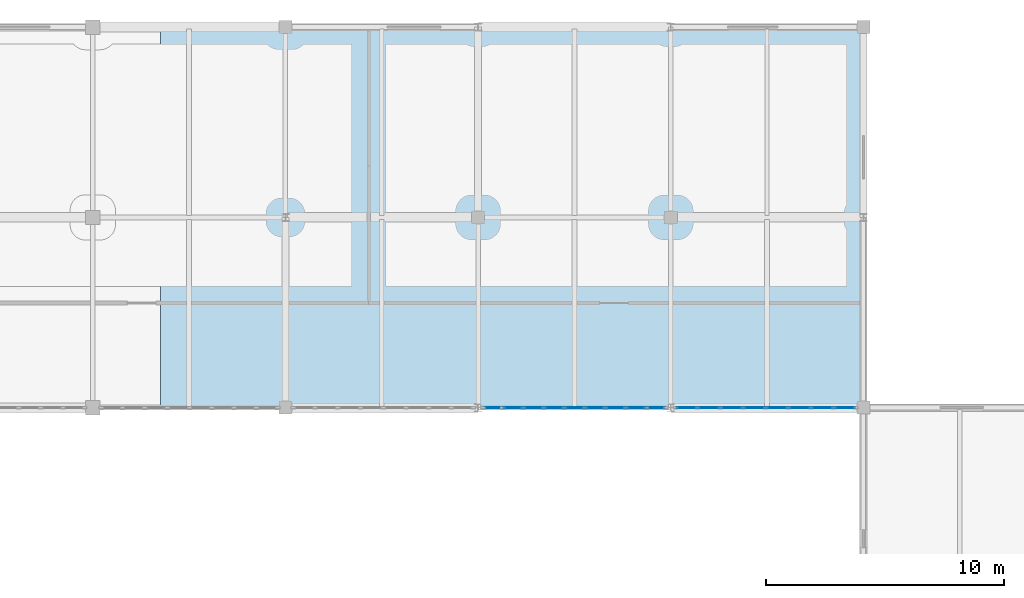
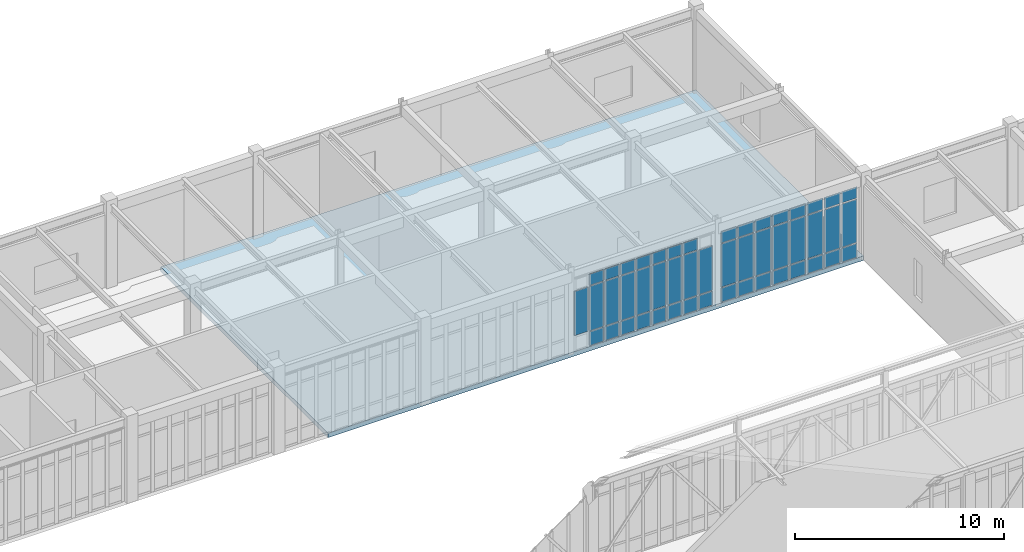
# One storey, part 80 of 107: 48 plates, 1 slab, 2 elements without a shape of their own.
"""IFC4 building model written with IfcOpenShell, lengths in metres."""

import ifcopenshell
import ifcopenshell.guid

model = None  # the IFC model being written
_history = None  # IfcOwnerHistory: only IFC2X3 demands one
_inside = {}  # id of a spatial element -> (the spatial element, [elements in it])
_under = {}  # id of a project, library or spatial element -> (it, [spatial elements below it])
_declared = {}  # id of a project -> (the project, [libraries it declares])
_typed = {}  # id of a type object -> (the type object, [elements of that type])
_made_of = {}  # id of a material, layer set ... -> (it, [elements and type objects made of it])


def new_model(schema):
    """Start an empty IFC model of exactly this schema.

    Asked for "IFC4X3", IfcOpenShell would pick the latest addendum, in which some entities
    have other attributes; the version numbers below select the first issue.
    IFC2X3 requires an IfcOwnerHistory on every rooted entity: one is made here for all.
    """
    global model, _history
    if schema == "IFC4X3":
        model = ifcopenshell.file(schema_version=(4, 3, 0, 0))
    else:
        model = ifcopenshell.file(schema=schema)
    _inside.clear()
    _under.clear()
    _declared.clear()
    _typed.clear()
    _made_of.clear()
    _history = None
    if model.schema == "IFC2X3":
        org = make("IfcOrganization", Name="unknown")
        user = make(
            "IfcPersonAndOrganization",
            ThePerson=make("IfcPerson", FamilyName="unknown"),
            TheOrganization=org,
        )
        app = make(
            "IfcApplication",
            ApplicationDeveloper=org,
            Version="unknown",
            ApplicationFullName="unknown",
            ApplicationIdentifier="unknown",
        )
        _history = make(
            "IfcOwnerHistory",
            OwningUser=user,
            OwningApplication=app,
            ChangeAction="ADDED",
            CreationDate=0,
        )
    return model


def make(cls, **values):
    """One entity of the class cls with the attributes given. An attribute that is None is left unset."""
    return model.create_entity(
        cls, **{name: value for name, value in values.items() if value is not None}
    )


def rooted(cls, **values):
    """An entity with a GlobalId (a new one), such as an element, a storey or a relation."""
    return make(cls, GlobalId=ifcopenshell.guid.new(), OwnerHistory=_history, **values)


def si_unit(unit_type, name, prefix=None):
    """IfcSIUnit, for example si_unit("LENGTHUNIT", "METRE", prefix="MILLI")."""
    return make("IfcSIUnit", UnitType=unit_type, Prefix=prefix, Name=name)


def assignment(units):
    """IfcUnitAssignment: the units of a project."""
    return None if units is None else make("IfcUnitAssignment", Units=units)


def point(xyz):
    """IfcCartesianPoint."""
    return None if xyz is None else make("IfcCartesianPoint", Coordinates=xyz)


def direction(xyz):
    """IfcDirection."""
    return None if xyz is None else make("IfcDirection", DirectionRatios=xyz)


def frame(location, z_axis=None, x_axis=None):
    """IfcAxis2Placement3D, a coordinate frame: its origin and axes. An axis left out is left unset."""
    return make(
        "IfcAxis2Placement3D",
        Location=point(location),
        Axis=direction(z_axis),
        RefDirection=direction(x_axis),
    )


def frame_2d(location, x_axis=None):
    """IfcAxis2Placement2D, a coordinate frame in the plane: its origin and x axis."""
    return make(
        "IfcAxis2Placement2D", Location=point(location), RefDirection=direction(x_axis)
    )


def origin():
    """The frame at (0, 0, 0) with its axes left unset."""
    return frame((0.0, 0.0, 0.0))


def origin_2d():
    """The frame at (0, 0) in the plane with its x axis left unset."""
    return frame_2d((0.0, 0.0))


def place(relative_to, where):
    """IfcLocalPlacement: puts the frame where relative to a parent placement (None: the world)."""
    return make(
        "IfcLocalPlacement", PlacementRelTo=relative_to, RelativePlacement=where
    )


def context(
    kind, dimensions, precision=None, world=None, true_north=None, identifier=None
):
    """IfcGeometricRepresentationContext, for example the 3D "Model" context."""
    return make(
        "IfcGeometricRepresentationContext",
        ContextIdentifier=identifier,
        ContextType=kind,
        CoordinateSpaceDimension=dimensions,
        Precision=precision,
        WorldCoordinateSystem=world,
        TrueNorth=true_north,
    )


def subcontext(parent, identifier, kind, view, scale=None):
    """IfcGeometricRepresentationSubContext, for example "Body" below "Model"."""
    return make(
        "IfcGeometricRepresentationSubContext",
        ContextIdentifier=identifier,
        ContextType=kind,
        ParentContext=parent,
        TargetScale=scale,
        TargetView=view,
    )


def project(units=None, contexts=None):
    """IfcProject with its units and contexts."""
    return rooted(
        "IfcProject",
        Name="project",
        RepresentationContexts=contexts,
        UnitsInContext=assignment(units),
    )


def spatial(cls, under=None, at=None, **own):
    """A site, building, storey or space (cls), placed at a placement, below another one or the project."""
    s = rooted(cls, ObjectPlacement=at, **own)
    if under is not None:
        _under.setdefault(under.id(), (under, []))[1].append(s)
    return s


def polyline(points):
    """IfcPolyline through the points."""
    return make("IfcPolyline", Points=[point(p) for p in points])


def profile(cls, at=None, kind="AREA", **sizes):
    """A parametric profile (cls). Its sizes go by their IFC names, for example OverallWidth=200.0."""
    return make(cls, ProfileType=kind, Position=at, **sizes)


def rectangle(**sizes):
    """IfcRectangleProfileDef."""
    return profile("IfcRectangleProfileDef", **sizes)


def outline(outer, holes=None, kind="AREA"):
    """IfcArbitraryClosedProfileDef: a profile drawn as a closed curve; with holes, ...WithVoids."""
    if holes is None:
        return make("IfcArbitraryClosedProfileDef", ProfileType=kind, OuterCurve=outer)
    return make(
        "IfcArbitraryProfileDefWithVoids",
        ProfileType=kind,
        OuterCurve=outer,
        InnerCurves=holes,
    )


def extrude(swept, where, along, depth):
    """IfcExtrudedAreaSolid: the profile swept, set in the frame where, extruded along a direction by depth."""
    return make(
        "IfcExtrudedAreaSolid",
        SweptArea=swept,
        Position=where,
        ExtrudedDirection=direction(along),
        Depth=depth,
    )


def shape(context_of_items, identifier, shape_type, items):
    """IfcShapeRepresentation: the items that make up one representation, for example the "Body"."""
    return make(
        "IfcShapeRepresentation",
        ContextOfItems=context_of_items,
        RepresentationIdentifier=identifier,
        RepresentationType=shape_type,
        Items=items,
    )


def material(Name=None, Category=None):
    """IfcMaterial."""
    return make("IfcMaterial", Name=Name, Category=Category)


def layer(
    of_material, thickness, ventilated=None, Name=None, Category=None, Priority=None
):
    """IfcMaterialLayer: one layer of a wall or slab, of a material (None: an air gap)."""
    return make(
        "IfcMaterialLayer",
        Material=of_material,
        LayerThickness=thickness,
        IsVentilated=ventilated,
        Name=Name,
        Category=Category,
        Priority=Priority,
    )


def layer_set(layers, Name=None):
    """IfcMaterialLayerSet."""
    return make("IfcMaterialLayerSet", MaterialLayers=layers, LayerSetName=Name)


def made_of(thing, what):
    """Note that an element or type object is made of a material, layer set ...; save() writes the relation."""
    if what is not None:
        _made_of.setdefault(what.id(), (what, []))[1].append(thing)
    return thing


def type_object(cls, material=None, **own):
    """A type object (cls), such as IfcWallType, which elements share."""
    return made_of(rooted(cls, **own), material)


def element(
    cls,
    number,
    at=None,
    inside=None,
    cuts=None,
    type_object=None,
    material=None,
    context=None,
    identifier="Body",
    shape_type=None,
    held_by="IfcProductDefinitionShape",
    body=None,
    shapes=None,
    **own,
):
    """One element of the class cls, such as IfcWall. Its Tag is "e" and its number.

    at: its placement. inside: the storey or other place that contains it. cuts: it is an
    opening in that element (IfcRelVoidsElement). A single representation is given by context,
    identifier, shape_type and body (its items); several are given by shapes. held_by: the class
    of the entity that holds the representations. save() writes the other relations.
    """
    e = rooted(cls, Tag="e%d" % number, ObjectPlacement=at, **own)
    if body is not None:
        shapes = [shape(context, identifier, shape_type, body)]
    if shapes is not None:
        e.Representation = make(held_by, Representations=shapes)
    if inside is not None:
        _inside.setdefault(inside.id(), (inside, []))[1].append(e)
    if cuts is not None:
        rooted(
            "IfcRelVoidsElement", RelatingBuildingElement=cuts, RelatedOpeningElement=e
        )
    if type_object is not None:
        _typed.setdefault(type_object.id(), (type_object, []))[1].append(e)
    return made_of(e, material)


def aggregate(whole, parts):
    """IfcRelAggregates: a whole, such as a stair, and the parts it consists of."""
    return rooted("IfcRelAggregates", RelatingObject=whole, RelatedObjects=parts)


def save(model, path):
    """Write the relations noted so far, then the file.

    IfcRelAggregates (storeys below a building ...), IfcRelContainedInSpatialStructure (elements
    in a storey), IfcRelDefinesByType, IfcRelAssociatesMaterial and IfcRelDeclares: one each for
    every whole, place, type object, material and project.
    """
    for whole, parts in _under.values():
        aggregate(whole, parts)
    for where, things in _inside.values():
        rooted(
            "IfcRelContainedInSpatialStructure",
            RelatedElements=things,
            RelatingStructure=where,
        )
    for kind, things in _typed.values():
        rooted("IfcRelDefinesByType", RelatedObjects=things, RelatingType=kind)
    for what, things in _made_of.values():
        rooted("IfcRelAssociatesMaterial", RelatedObjects=things, RelatingMaterial=what)
    for by, libraries in _declared.values():
        rooted("IfcRelDeclares", RelatingContext=by, RelatedDefinitions=libraries)
    model.write(path)


model = new_model("IFC4")

# Units and contexts
model_context = context("Model", 3, precision=1e-05, world=origin(), true_north=direction((0.0, 1.0)))
body_context = subcontext(model_context, "Body", "Model", "MODEL_VIEW")
ifc_project = project(units=[si_unit("LENGTHUNIT", "METRE"), si_unit("AREAUNIT", "SQUARE_METRE"), si_unit("VOLUMEUNIT", "CUBIC_METRE"), si_unit("PLANEANGLEUNIT", "RADIAN"), si_unit("MASSUNIT", "GRAM", prefix="KILO")], contexts=[model_context])

# Site, building, storey
site_placement = place(None, origin())
site = spatial("IfcSite", under=ifc_project, at=site_placement, CompositionType="ELEMENT")
building_placement = place(site_placement, origin())
building = spatial("IfcBuilding", under=site, at=building_placement, Name="Tarnveldt Square Police Headquarters", CompositionType="ELEMENT")
storey_placement = place(building_placement, frame((0.0, 0.0, 14.699951171875)))
storey = spatial("IfcBuildingStorey", under=building, at=storey_placement, Name="L03", CompositionType="ELEMENT", Elevation=14.699951171875)

# Curtain wall, plates
ifc_material_1 = material(Name="Triple-glazed low-e laminated vision glass", Category="glass")
curtain_wall_type_1 = type_object("IfcCurtainWallType", Name="CW-LB-776x430", PredefinedType="USERDEFINED", material=ifc_material_1)
curtain_wall_1_placement = place(storey_placement, origin())
curtain_wall_1 = element("IfcCurtainWall", 1, at=curtain_wall_1_placement, inside=storey, type_object=curtain_wall_type_1, Name="L03 Curtain Wall CW-L03-124", ObjectType="GLAZED CURTAIN WALL", PredefinedType="USERDEFINED")
ifc_layer_1 = layer(ifc_material_1, 0.028076171875)
ifc_layer_set_1 = layer_set([ifc_layer_1], Name="Triple-glazed low-e laminated vision glass")
plate_type = type_object("IfcPlateType", Name="CWP-VIS-28", PredefinedType="CURTAIN_PANEL", material=ifc_layer_set_1)
plate_1_placement = place(storey_placement, frame((89.718994140625, 96.0, 0.9326171875), z_axis=(0.0, 0.0, 1.0), x_axis=(1.0, 0.0, 0.0)))
plate_1 = element("IfcPlate", 2, at=plate_1_placement, type_object=plate_type, Name="CW-LB75 panel 1.2", PredefinedType="CURTAIN_PANEL", context=body_context, shape_type="SweptSolid", body=[
    extrude(rectangle(XDim=0.75, YDim=0.028076171875, at=origin_2d()), origin(), (0.0, 0.0, 1.0), 2.583984375),
])
plate_2_placement = place(storey_placement, frame((90.562744140625, 96.0, 0.06494140625), z_axis=(0.0, 0.0, 1.0), x_axis=(1.0, 0.0, 0.0)))
plate_2 = element("IfcPlate", 3, at=plate_2_placement, type_object=plate_type, Name="CW-LB75 panel 2.1", PredefinedType="CURTAIN_PANEL", context=body_context, shape_type="SweptSolid", body=[
    extrude(rectangle(XDim=0.787353515625, YDim=0.028076171875, at=origin_2d()), origin(), (0.0, 0.0, 1.0), 0.802490234375),
])
plate_3_placement = place(storey_placement, frame((90.562744140625, 96.0, 0.9326171875), z_axis=(0.0, 0.0, 1.0), x_axis=(1.0, 0.0, 0.0)))
plate_3 = element("IfcPlate", 4, at=plate_3_placement, type_object=plate_type, Name="CW-LB75 panel 2.2", PredefinedType="CURTAIN_PANEL", context=body_context, shape_type="SweptSolid", body=[
    extrude(rectangle(XDim=0.787353515625, YDim=0.028076171875, at=origin_2d()), origin(), (0.0, 0.0, 1.0), 2.583984375),
])
plate_4_placement = place(storey_placement, frame((90.562744140625, 96.0, 3.58154296875), z_axis=(0.0, 0.0, 1.0), x_axis=(1.0, 0.0, 0.0)))
plate_4 = element("IfcPlate", 5, at=plate_4_placement, type_object=plate_type, Name="CW-LB75 panel 2.3", PredefinedType="CURTAIN_PANEL", context=body_context, shape_type="SweptSolid", body=[
    extrude(rectangle(XDim=0.787353515625, YDim=0.028076171875, at=origin_2d()), origin(), (0.0, 0.0, 1.0), 0.652587890625),
])
plate_5_placement = place(storey_placement, frame((91.425048828125, 96.0, 0.06494140625), z_axis=(0.0, 0.0, 1.0), x_axis=(1.0, 0.0, 0.0)))
plate_5 = element("IfcPlate", 6, at=plate_5_placement, type_object=plate_type, Name="CW-LB75 panel 3.1", PredefinedType="CURTAIN_PANEL", context=body_context, shape_type="SweptSolid", body=[
    extrude(rectangle(XDim=0.787353515625, YDim=0.028076171875, at=origin_2d()), origin(), (0.0, 0.0, 1.0), 0.802490234375),
])
plate_6_placement = place(storey_placement, frame((91.425048828125, 96.0, 0.9326171875), z_axis=(0.0, 0.0, 1.0), x_axis=(1.0, 0.0, 0.0)))
plate_6 = element("IfcPlate", 7, at=plate_6_placement, type_object=plate_type, Name="CW-LB75 panel 3.2", PredefinedType="CURTAIN_PANEL", context=body_context, shape_type="SweptSolid", body=[
    extrude(rectangle(XDim=0.787353515625, YDim=0.028076171875, at=origin_2d()), origin(), (0.0, 0.0, 1.0), 2.583984375),
])
plate_7_placement = place(storey_placement, frame((91.425048828125, 96.0, 3.58154296875), z_axis=(0.0, 0.0, 1.0), x_axis=(1.0, 0.0, 0.0)))
plate_7 = element("IfcPlate", 8, at=plate_7_placement, type_object=plate_type, Name="CW-LB75 panel 3.3", PredefinedType="CURTAIN_PANEL", context=body_context, shape_type="SweptSolid", body=[
    extrude(rectangle(XDim=0.787353515625, YDim=0.028076171875, at=origin_2d()), origin(), (0.0, 0.0, 1.0), 0.652587890625),
])
plate_8_placement = place(storey_placement, frame((92.28759765625, 96.0, 0.06494140625), z_axis=(0.0, 0.0, 1.0), x_axis=(1.0, 0.0, 0.0)))
plate_8 = element("IfcPlate", 9, at=plate_8_placement, type_object=plate_type, Name="CW-LB75 panel 4.1", PredefinedType="CURTAIN_PANEL", context=body_context, shape_type="SweptSolid", body=[
    extrude(rectangle(XDim=0.787353515625, YDim=0.028076171875, at=origin_2d()), origin(), (0.0, 0.0, 1.0), 0.802490234375),
])
plate_9_placement = place(storey_placement, frame((92.28759765625, 96.0, 0.9326171875), z_axis=(0.0, 0.0, 1.0), x_axis=(1.0, 0.0, 0.0)))
plate_9 = element("IfcPlate", 10, at=plate_9_placement, type_object=plate_type, Name="CW-LB75 panel 4.2", PredefinedType="CURTAIN_PANEL", context=body_context, shape_type="SweptSolid", body=[
    extrude(rectangle(XDim=0.787353515625, YDim=0.028076171875, at=origin_2d()), origin(), (0.0, 0.0, 1.0), 2.583984375),
])
plate_10_placement = place(storey_placement, frame((92.28759765625, 96.0, 3.58154296875), z_axis=(0.0, 0.0, 1.0), x_axis=(1.0, 0.0, 0.0)))
plate_10 = element("IfcPlate", 11, at=plate_10_placement, type_object=plate_type, Name="CW-LB75 panel 4.3", PredefinedType="CURTAIN_PANEL", context=body_context, shape_type="SweptSolid", body=[
    extrude(rectangle(XDim=0.787353515625, YDim=0.028076171875, at=origin_2d()), origin(), (0.0, 0.0, 1.0), 0.652587890625),
])
plate_11_placement = place(storey_placement, frame((93.14990234375, 96.0, 0.06494140625), z_axis=(0.0, 0.0, 1.0), x_axis=(1.0, 0.0, 0.0)))
plate_11 = element("IfcPlate", 12, at=plate_11_placement, type_object=plate_type, Name="CW-LB75 panel 5.1", PredefinedType="CURTAIN_PANEL", context=body_context, shape_type="SweptSolid", body=[
    extrude(rectangle(XDim=0.787353515625, YDim=0.028076171875, at=origin_2d()), origin(), (0.0, 0.0, 1.0), 0.802490234375),
])
plate_12_placement = place(storey_placement, frame((93.14990234375, 96.0, 0.9326171875), z_axis=(0.0, 0.0, 1.0), x_axis=(1.0, 0.0, 0.0)))
plate_12 = element("IfcPlate", 13, at=plate_12_placement, type_object=plate_type, Name="CW-LB75 panel 5.2", PredefinedType="CURTAIN_PANEL", context=body_context, shape_type="SweptSolid", body=[
    extrude(rectangle(XDim=0.787353515625, YDim=0.028076171875, at=origin_2d()), origin(), (0.0, 0.0, 1.0), 2.583984375),
])
plate_13_placement = place(storey_placement, frame((93.14990234375, 96.0, 3.58154296875), z_axis=(0.0, 0.0, 1.0), x_axis=(1.0, 0.0, 0.0)))
plate_13 = element("IfcPlate", 14, at=plate_13_placement, type_object=plate_type, Name="CW-LB75 panel 5.3", PredefinedType="CURTAIN_PANEL", context=body_context, shape_type="SweptSolid", body=[
    extrude(rectangle(XDim=0.787353515625, YDim=0.028076171875, at=origin_2d()), origin(), (0.0, 0.0, 1.0), 0.652587890625),
])
plate_14_placement = place(storey_placement, frame((94.012451171875, 96.0, 0.06494140625), z_axis=(0.0, 0.0, 1.0), x_axis=(1.0, 0.0, 0.0)))
plate_14 = element("IfcPlate", 15, at=plate_14_placement, type_object=plate_type, Name="CW-LB75 panel 6.1", PredefinedType="CURTAIN_PANEL", context=body_context, shape_type="SweptSolid", body=[
    extrude(rectangle(XDim=0.787353515625, YDim=0.028076171875, at=origin_2d()), origin(), (0.0, 0.0, 1.0), 0.802490234375),
])
plate_15_placement = place(storey_placement, frame((94.012451171875, 96.0, 0.9326171875), z_axis=(0.0, 0.0, 1.0), x_axis=(1.0, 0.0, 0.0)))
plate_15 = element("IfcPlate", 16, at=plate_15_placement, type_object=plate_type, Name="CW-LB75 panel 6.2", PredefinedType="CURTAIN_PANEL", context=body_context, shape_type="SweptSolid", body=[
    extrude(rectangle(XDim=0.787353515625, YDim=0.028076171875, at=origin_2d()), origin(), (0.0, 0.0, 1.0), 2.583984375),
])
plate_16_placement = place(storey_placement, frame((94.012451171875, 96.0, 3.58154296875), z_axis=(0.0, 0.0, 1.0), x_axis=(1.0, 0.0, 0.0)))
plate_16 = element("IfcPlate", 17, at=plate_16_placement, type_object=plate_type, Name="CW-LB75 panel 6.3", PredefinedType="CURTAIN_PANEL", context=body_context, shape_type="SweptSolid", body=[
    extrude(rectangle(XDim=0.787353515625, YDim=0.028076171875, at=origin_2d()), origin(), (0.0, 0.0, 1.0), 0.652587890625),
])
plate_17_placement = place(storey_placement, frame((94.875, 96.0, 0.06494140625), z_axis=(0.0, 0.0, 1.0), x_axis=(1.0, 0.0, 0.0)))
plate_17 = element("IfcPlate", 18, at=plate_17_placement, type_object=plate_type, Name="CW-LB75 panel 7.1", PredefinedType="CURTAIN_PANEL", context=body_context, shape_type="SweptSolid", body=[
    extrude(rectangle(XDim=0.787353515625, YDim=0.028076171875, at=origin_2d()), origin(), (0.0, 0.0, 1.0), 0.802490234375),
])
plate_18_placement = place(storey_placement, frame((94.875, 96.0, 0.9326171875), z_axis=(0.0, 0.0, 1.0), x_axis=(1.0, 0.0, 0.0)))
plate_18 = element("IfcPlate", 19, at=plate_18_placement, type_object=plate_type, Name="CW-LB75 panel 7.2", PredefinedType="CURTAIN_PANEL", context=body_context, shape_type="SweptSolid", body=[
    extrude(rectangle(XDim=0.787353515625, YDim=0.028076171875, at=origin_2d()), origin(), (0.0, 0.0, 1.0), 2.583984375),
])
plate_19_placement = place(storey_placement, frame((94.875, 96.0, 3.58154296875), z_axis=(0.0, 0.0, 1.0), x_axis=(1.0, 0.0, 0.0)))
plate_19 = element("IfcPlate", 20, at=plate_19_placement, type_object=plate_type, Name="CW-LB75 panel 7.3", PredefinedType="CURTAIN_PANEL", context=body_context, shape_type="SweptSolid", body=[
    extrude(rectangle(XDim=0.787353515625, YDim=0.028076171875, at=origin_2d()), origin(), (0.0, 0.0, 1.0), 0.652587890625),
])
plate_20_placement = place(storey_placement, frame((95.7373046875, 96.0, 0.06494140625), z_axis=(0.0, 0.0, 1.0), x_axis=(1.0, 0.0, 0.0)))
plate_20 = element("IfcPlate", 21, at=plate_20_placement, type_object=plate_type, Name="CW-LB75 panel 8.1", PredefinedType="CURTAIN_PANEL", context=body_context, shape_type="SweptSolid", body=[
    extrude(rectangle(XDim=0.787353515625, YDim=0.028076171875, at=origin_2d()), origin(), (0.0, 0.0, 1.0), 0.802490234375),
])
plate_21_placement = place(storey_placement, frame((95.7373046875, 96.0, 0.9326171875), z_axis=(0.0, 0.0, 1.0), x_axis=(1.0, 0.0, 0.0)))
plate_21 = element("IfcPlate", 22, at=plate_21_placement, type_object=plate_type, Name="CW-LB75 panel 8.2", PredefinedType="CURTAIN_PANEL", context=body_context, shape_type="SweptSolid", body=[
    extrude(rectangle(XDim=0.787353515625, YDim=0.028076171875, at=origin_2d()), origin(), (0.0, 0.0, 1.0), 2.583984375),
])
plate_22_placement = place(storey_placement, frame((95.7373046875, 96.0, 3.58154296875), z_axis=(0.0, 0.0, 1.0), x_axis=(1.0, 0.0, 0.0)))
plate_22 = element("IfcPlate", 23, at=plate_22_placement, type_object=plate_type, Name="CW-LB75 panel 8.3", PredefinedType="CURTAIN_PANEL", context=body_context, shape_type="SweptSolid", body=[
    extrude(rectangle(XDim=0.787353515625, YDim=0.028076171875, at=origin_2d()), origin(), (0.0, 0.0, 1.0), 0.652587890625),
])
plate_23_placement = place(storey_placement, frame((96.5810546875, 96.0, 0.06494140625), z_axis=(0.0, 0.0, 1.0), x_axis=(1.0, 0.0, 0.0)))
plate_23 = element("IfcPlate", 24, at=plate_23_placement, type_object=plate_type, Name="CW-LB75 panel 9.1", PredefinedType="CURTAIN_PANEL", context=body_context, shape_type="SweptSolid", body=[
    extrude(rectangle(XDim=0.75, YDim=0.028076171875, at=origin_2d()), origin(), (0.0, 0.0, 1.0), 0.802490234375),
])
plate_24_placement = place(storey_placement, frame((96.5810546875, 96.0, 0.9326171875), z_axis=(0.0, 0.0, 1.0), x_axis=(1.0, 0.0, 0.0)))
plate_24 = element("IfcPlate", 25, at=plate_24_placement, type_object=plate_type, Name="CW-LB75 panel 9.2", PredefinedType="CURTAIN_PANEL", context=body_context, shape_type="SweptSolid", body=[
    extrude(rectangle(XDim=0.75, YDim=0.028076171875, at=origin_2d()), origin(), (0.0, 0.0, 1.0), 2.583984375),
])
aggregate(curtain_wall_1, [plate_1, plate_2, plate_3, plate_4, plate_5, plate_6, plate_7, plate_8, plate_9, plate_10, plate_11, plate_12, plate_13, plate_14, plate_15, plate_16, plate_17, plate_18, plate_19, plate_20, plate_21, plate_22, plate_23, plate_24])

curtain_wall_type_2 = type_object("IfcCurtainWallType", Name="CW-LB-764x423", PredefinedType="USERDEFINED", material=ifc_material_1)
curtain_wall_2_placement = place(storey_placement, origin())
curtain_wall_2 = element("IfcCurtainWall", 26, at=curtain_wall_2_placement, inside=storey, type_object=curtain_wall_type_2, Name="L03 Curtain Wall CW-L03-125", ObjectType="GLAZED CURTAIN WALL", PredefinedType="USERDEFINED")
plate_25_placement = place(storey_placement, frame((97.865234375, 96.0, 0.06494140625), z_axis=(0.0, 0.0, 1.0), x_axis=(1.0, 0.0, 0.0)))
plate_25 = element("IfcPlate", 27, at=plate_25_placement, type_object=plate_type, Name="CW-LB74 panel 1.1", PredefinedType="CURTAIN_PANEL", context=body_context, shape_type="SweptSolid", body=[
    extrude(rectangle(XDim=0.842529296875, YDim=0.028076171875, at=origin_2d()), origin(), (0.0, 0.0, 1.0), 0.802490234375),
])
plate_26_placement = place(storey_placement, frame((97.865234375, 96.0, 0.9326171875), z_axis=(0.0, 0.0, 1.0), x_axis=(1.0, 0.0, 0.0)))
plate_26 = element("IfcPlate", 28, at=plate_26_placement, type_object=plate_type, Name="CW-LB74 panel 1.2", PredefinedType="CURTAIN_PANEL", context=body_context, shape_type="SweptSolid", body=[
    extrude(rectangle(XDim=0.842529296875, YDim=0.028076171875, at=origin_2d()), origin(), (0.0, 0.0, 1.0), 2.51708984375),
])
plate_27_placement = place(storey_placement, frame((97.865234375, 96.0, 3.5146484375), z_axis=(0.0, 0.0, 1.0), x_axis=(1.0, 0.0, 0.0)))
plate_27 = element("IfcPlate", 29, at=plate_27_placement, type_object=plate_type, Name="CW-LB74 panel 1.3", PredefinedType="CURTAIN_PANEL", context=body_context, shape_type="SweptSolid", body=[
    extrude(rectangle(XDim=0.842529296875, YDim=0.028076171875, at=origin_2d()), origin(), (0.0, 0.0, 1.0), 0.652587890625),
])
plate_28_placement = place(storey_placement, frame((98.8017578125, 96.0, 0.06494140625), z_axis=(0.0, 0.0, 1.0), x_axis=(1.0, 0.0, 0.0)))
plate_28 = element("IfcPlate", 30, at=plate_28_placement, type_object=plate_type, Name="CW-LB74 panel 2.1", PredefinedType="CURTAIN_PANEL", context=body_context, shape_type="SweptSolid", body=[
    extrude(rectangle(XDim=0.880126953125, YDim=0.028076171875, at=origin_2d()), origin(), (0.0, 0.0, 1.0), 0.802490234375),
])
plate_29_placement = place(storey_placement, frame((98.8017578125, 96.0, 0.9326171875), z_axis=(0.0, 0.0, 1.0), x_axis=(1.0, 0.0, 0.0)))
plate_29 = element("IfcPlate", 31, at=plate_29_placement, type_object=plate_type, Name="CW-LB74 panel 2.2", PredefinedType="CURTAIN_PANEL", context=body_context, shape_type="SweptSolid", body=[
    extrude(rectangle(XDim=0.880126953125, YDim=0.028076171875, at=origin_2d()), origin(), (0.0, 0.0, 1.0), 2.51708984375),
])
plate_30_placement = place(storey_placement, frame((98.8017578125, 96.0, 3.5146484375), z_axis=(0.0, 0.0, 1.0), x_axis=(1.0, 0.0, 0.0)))
plate_30 = element("IfcPlate", 32, at=plate_30_placement, type_object=plate_type, Name="CW-LB74 panel 2.3", PredefinedType="CURTAIN_PANEL", context=body_context, shape_type="SweptSolid", body=[
    extrude(rectangle(XDim=0.880126953125, YDim=0.028076171875, at=origin_2d()), origin(), (0.0, 0.0, 1.0), 0.652587890625),
])
plate_31_placement = place(storey_placement, frame((99.7568359375, 96.0, 0.06494140625), z_axis=(0.0, 0.0, 1.0), x_axis=(1.0, 0.0, 0.0)))
plate_31 = element("IfcPlate", 33, at=plate_31_placement, type_object=plate_type, Name="CW-LB74 panel 3.1", PredefinedType="CURTAIN_PANEL", context=body_context, shape_type="SweptSolid", body=[
    extrude(rectangle(XDim=0.880126953125, YDim=0.028076171875, at=origin_2d()), origin(), (0.0, 0.0, 1.0), 0.802490234375),
])
plate_32_placement = place(storey_placement, frame((99.7568359375, 96.0, 0.9326171875), z_axis=(0.0, 0.0, 1.0), x_axis=(1.0, 0.0, 0.0)))
plate_32 = element("IfcPlate", 34, at=plate_32_placement, type_object=plate_type, Name="CW-LB74 panel 3.2", PredefinedType="CURTAIN_PANEL", context=body_context, shape_type="SweptSolid", body=[
    extrude(rectangle(XDim=0.880126953125, YDim=0.028076171875, at=origin_2d()), origin(), (0.0, 0.0, 1.0), 2.51708984375),
])
plate_33_placement = place(storey_placement, frame((99.7568359375, 96.0, 3.5146484375), z_axis=(0.0, 0.0, 1.0), x_axis=(1.0, 0.0, 0.0)))
plate_33 = element("IfcPlate", 35, at=plate_33_placement, type_object=plate_type, Name="CW-LB74 panel 3.3", PredefinedType="CURTAIN_PANEL", context=body_context, shape_type="SweptSolid", body=[
    extrude(rectangle(XDim=0.880126953125, YDim=0.028076171875, at=origin_2d()), origin(), (0.0, 0.0, 1.0), 0.652587890625),
])
plate_34_placement = place(storey_placement, frame((100.7119140625, 96.0, 0.06494140625), z_axis=(0.0, 0.0, 1.0), x_axis=(1.0, 0.0, 0.0)))
plate_34 = element("IfcPlate", 36, at=plate_34_placement, type_object=plate_type, Name="CW-LB74 panel 4.1", PredefinedType="CURTAIN_PANEL", context=body_context, shape_type="SweptSolid", body=[
    extrude(rectangle(XDim=0.880126953125, YDim=0.028076171875, at=origin_2d()), origin(), (0.0, 0.0, 1.0), 0.802490234375),
])
plate_35_placement = place(storey_placement, frame((100.7119140625, 96.0, 0.9326171875), z_axis=(0.0, 0.0, 1.0), x_axis=(1.0, 0.0, 0.0)))
plate_35 = element("IfcPlate", 37, at=plate_35_placement, type_object=plate_type, Name="CW-LB74 panel 4.2", PredefinedType="CURTAIN_PANEL", context=body_context, shape_type="SweptSolid", body=[
    extrude(rectangle(XDim=0.880126953125, YDim=0.028076171875, at=origin_2d()), origin(), (0.0, 0.0, 1.0), 2.51708984375),
])
plate_36_placement = place(storey_placement, frame((100.7119140625, 96.0, 3.5146484375), z_axis=(0.0, 0.0, 1.0), x_axis=(1.0, 0.0, 0.0)))
plate_36 = element("IfcPlate", 38, at=plate_36_placement, type_object=plate_type, Name="CW-LB74 panel 4.3", PredefinedType="CURTAIN_PANEL", context=body_context, shape_type="SweptSolid", body=[
    extrude(rectangle(XDim=0.880126953125, YDim=0.028076171875, at=origin_2d()), origin(), (0.0, 0.0, 1.0), 0.652587890625),
])
plate_37_placement = place(storey_placement, frame((101.6669921875, 96.0, 0.06494140625), z_axis=(0.0, 0.0, 1.0), x_axis=(1.0, 0.0, 0.0)))
plate_37 = element("IfcPlate", 39, at=plate_37_placement, type_object=plate_type, Name="CW-LB74 panel 5.1", PredefinedType="CURTAIN_PANEL", context=body_context, shape_type="SweptSolid", body=[
    extrude(rectangle(XDim=0.880126953125, YDim=0.028076171875, at=origin_2d()), origin(), (0.0, 0.0, 1.0), 0.802490234375),
])
plate_38_placement = place(storey_placement, frame((101.6669921875, 96.0, 0.9326171875), z_axis=(0.0, 0.0, 1.0), x_axis=(1.0, 0.0, 0.0)))
plate_38 = element("IfcPlate", 40, at=plate_38_placement, type_object=plate_type, Name="CW-LB74 panel 5.2", PredefinedType="CURTAIN_PANEL", context=body_context, shape_type="SweptSolid", body=[
    extrude(rectangle(XDim=0.880126953125, YDim=0.028076171875, at=origin_2d()), origin(), (0.0, 0.0, 1.0), 2.51708984375),
])
plate_39_placement = place(storey_placement, frame((101.6669921875, 96.0, 3.5146484375), z_axis=(0.0, 0.0, 1.0), x_axis=(1.0, 0.0, 0.0)))
plate_39 = element("IfcPlate", 41, at=plate_39_placement, type_object=plate_type, Name="CW-LB74 panel 5.3", PredefinedType="CURTAIN_PANEL", context=body_context, shape_type="SweptSolid", body=[
    extrude(rectangle(XDim=0.880126953125, YDim=0.028076171875, at=origin_2d()), origin(), (0.0, 0.0, 1.0), 0.652587890625),
])
plate_40_placement = place(storey_placement, frame((102.6220703125, 96.0, 0.06494140625), z_axis=(0.0, 0.0, 1.0), x_axis=(1.0, 0.0, 0.0)))
plate_40 = element("IfcPlate", 42, at=plate_40_placement, type_object=plate_type, Name="CW-LB74 panel 6.1", PredefinedType="CURTAIN_PANEL", context=body_context, shape_type="SweptSolid", body=[
    extrude(rectangle(XDim=0.880126953125, YDim=0.028076171875, at=origin_2d()), origin(), (0.0, 0.0, 1.0), 0.802490234375),
])
plate_41_placement = place(storey_placement, frame((102.6220703125, 96.0, 0.9326171875), z_axis=(0.0, 0.0, 1.0), x_axis=(1.0, 0.0, 0.0)))
plate_41 = element("IfcPlate", 43, at=plate_41_placement, type_object=plate_type, Name="CW-LB74 panel 6.2", PredefinedType="CURTAIN_PANEL", context=body_context, shape_type="SweptSolid", body=[
    extrude(rectangle(XDim=0.880126953125, YDim=0.028076171875, at=origin_2d()), origin(), (0.0, 0.0, 1.0), 2.51708984375),
])
plate_42_placement = place(storey_placement, frame((102.6220703125, 96.0, 3.5146484375), z_axis=(0.0, 0.0, 1.0), x_axis=(1.0, 0.0, 0.0)))
plate_42 = element("IfcPlate", 44, at=plate_42_placement, type_object=plate_type, Name="CW-LB74 panel 6.3", PredefinedType="CURTAIN_PANEL", context=body_context, shape_type="SweptSolid", body=[
    extrude(rectangle(XDim=0.880126953125, YDim=0.028076171875, at=origin_2d()), origin(), (0.0, 0.0, 1.0), 0.652587890625),
])
plate_43_placement = place(storey_placement, frame((103.577392578125, 96.0, 0.06494140625), z_axis=(0.0, 0.0, 1.0), x_axis=(1.0, 0.0, 0.0)))
plate_43 = element("IfcPlate", 45, at=plate_43_placement, type_object=plate_type, Name="CW-LB74 panel 7.1", PredefinedType="CURTAIN_PANEL", context=body_context, shape_type="SweptSolid", body=[
    extrude(rectangle(XDim=0.880126953125, YDim=0.028076171875, at=origin_2d()), origin(), (0.0, 0.0, 1.0), 0.802490234375),
])
plate_44_placement = place(storey_placement, frame((103.577392578125, 96.0, 0.9326171875), z_axis=(0.0, 0.0, 1.0), x_axis=(1.0, 0.0, 0.0)))
plate_44 = element("IfcPlate", 46, at=plate_44_placement, type_object=plate_type, Name="CW-LB74 panel 7.2", PredefinedType="CURTAIN_PANEL", context=body_context, shape_type="SweptSolid", body=[
    extrude(rectangle(XDim=0.880126953125, YDim=0.028076171875, at=origin_2d()), origin(), (0.0, 0.0, 1.0), 2.51708984375),
])
plate_45_placement = place(storey_placement, frame((103.577392578125, 96.0, 3.5146484375), z_axis=(0.0, 0.0, 1.0), x_axis=(1.0, 0.0, 0.0)))
plate_45 = element("IfcPlate", 47, at=plate_45_placement, type_object=plate_type, Name="CW-LB74 panel 7.3", PredefinedType="CURTAIN_PANEL", context=body_context, shape_type="SweptSolid", body=[
    extrude(rectangle(XDim=0.880126953125, YDim=0.028076171875, at=origin_2d()), origin(), (0.0, 0.0, 1.0), 0.652587890625),
])
plate_46_placement = place(storey_placement, frame((104.513671875, 96.0, 0.06494140625), z_axis=(0.0, 0.0, 1.0), x_axis=(1.0, 0.0, 0.0)))
plate_46 = element("IfcPlate", 48, at=plate_46_placement, type_object=plate_type, Name="CW-LB74 panel 8.1", PredefinedType="CURTAIN_PANEL", context=body_context, shape_type="SweptSolid", body=[
    extrude(rectangle(XDim=0.842529296875, YDim=0.028076171875, at=origin_2d()), origin(), (0.0, 0.0, 1.0), 0.802490234375),
])
plate_47_placement = place(storey_placement, frame((104.513671875, 96.0, 0.9326171875), z_axis=(0.0, 0.0, 1.0), x_axis=(1.0, 0.0, 0.0)))
plate_47 = element("IfcPlate", 49, at=plate_47_placement, type_object=plate_type, Name="CW-LB74 panel 8.2", PredefinedType="CURTAIN_PANEL", context=body_context, shape_type="SweptSolid", body=[
    extrude(rectangle(XDim=0.842529296875, YDim=0.028076171875, at=origin_2d()), origin(), (0.0, 0.0, 1.0), 2.51708984375),
])
plate_48_placement = place(storey_placement, frame((104.513671875, 96.0, 3.5146484375), z_axis=(0.0, 0.0, 1.0), x_axis=(1.0, 0.0, 0.0)))
plate_48 = element("IfcPlate", 50, at=plate_48_placement, type_object=plate_type, Name="CW-LB74 panel 8.3", PredefinedType="CURTAIN_PANEL", context=body_context, shape_type="SweptSolid", body=[
    extrude(rectangle(XDim=0.842529296875, YDim=0.028076171875, at=origin_2d()), origin(), (0.0, 0.0, 1.0), 0.652587890625),
])
aggregate(curtain_wall_2, [plate_25, plate_26, plate_27, plate_28, plate_29, plate_30, plate_31, plate_32, plate_33, plate_34, plate_35, plate_36, plate_37, plate_38, plate_39, plate_40, plate_41, plate_42, plate_43, plate_44, plate_45, plate_46, plate_47, plate_48])

# Slab
ifc_material_2 = material(Name="Concrete 40 MPa", Category="concrete")
ifc_layer_2 = layer(ifc_material_2, 0.260009765625)
ifc_layer_set_2 = layer_set([ifc_layer_2], Name="Concrete 40 MPa")
slab_type = type_object("IfcSlabType", Name="SL-MID-260", PredefinedType="FLOOR", material=ifc_layer_set_2)
slab_placement = place(storey_placement, frame((0.0, 0.0, -0.260009765625)))
element("IfcSlab", 51, at=slab_placement, inside=storey, type_object=slab_type, Name="L03 Structural Floor Slab L03-V6-2", PredefinedType="FLOOR", context=body_context, shape_type="SweptSolid", body=[
    extrude(outline(polyline([(105.300048828125, 112.0), (105.300048828125, 96.0), (75.75, 96.0), (75.75, 112.0), (105.300048828125, 112.0)])), origin(), (0.0, 0.0, 1.0), 0.260009765625),
])

save(model, "model.ifc")
